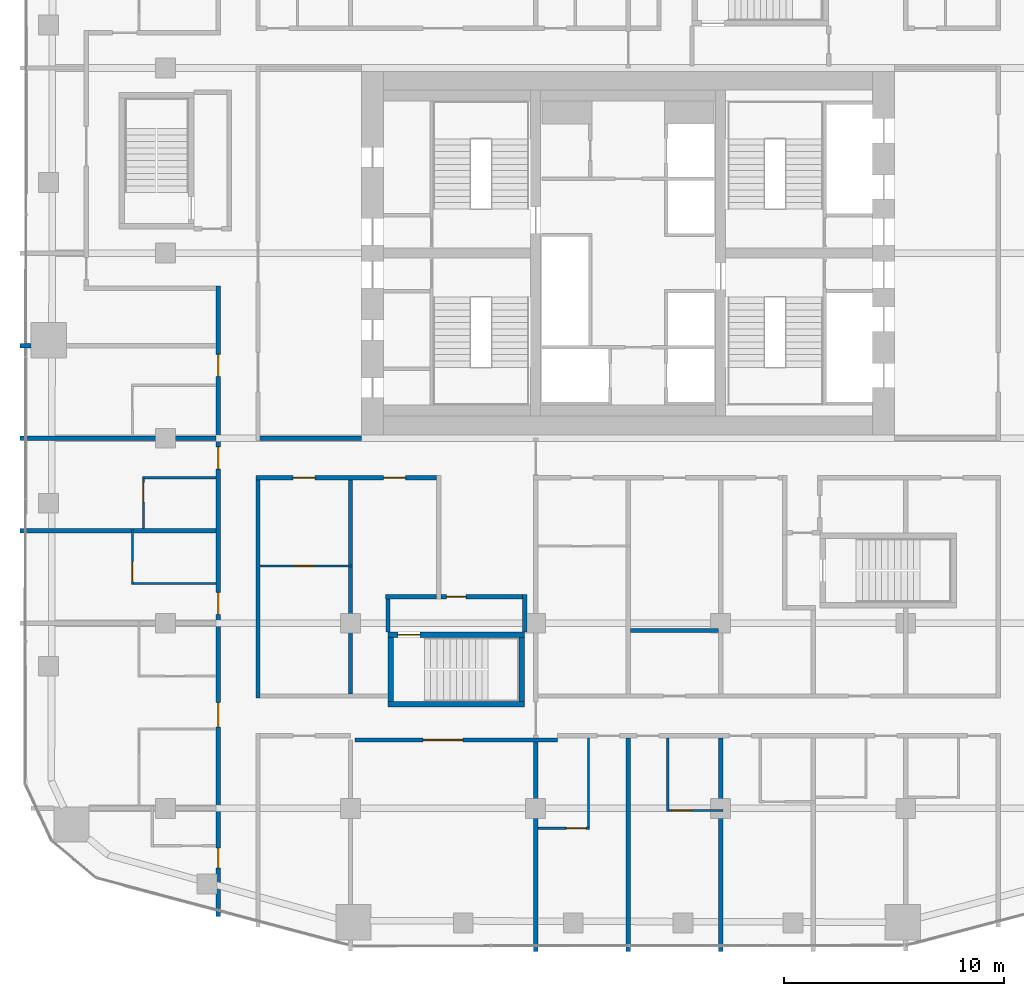
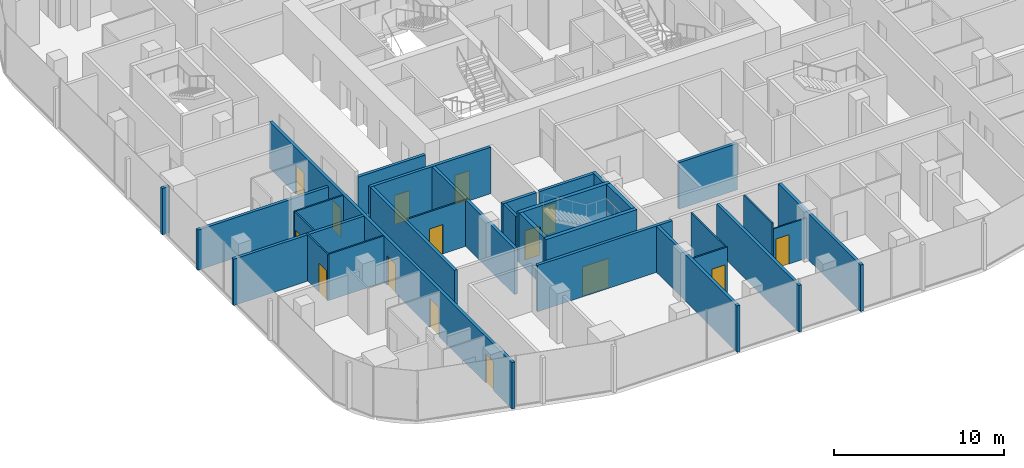
# One storey, part 14 of 23: 30 walls, 15 doors, 15 openings.
"""IFC4 building model written with IfcOpenShell, lengths in metres."""

from ifc_helpers import new_model, si_unit, direction, frame, frame_2d, origin, place, context, subcontext, project, spatial, rectangle, extrude, material, layer, layer_set, type_object, element, fill, save


model = new_model("IFC4")

# Units and contexts
model_context = context("Model", 3, precision=1e-05, world=origin(), true_north=direction((0.0, 1.0)))
body_context = subcontext(model_context, "Body", "Model", "MODEL_VIEW")
ifc_project = project(units=[si_unit("LENGTHUNIT", "METRE"), si_unit("AREAUNIT", "SQUARE_METRE"), si_unit("VOLUMEUNIT", "CUBIC_METRE"), si_unit("PLANEANGLEUNIT", "RADIAN"), si_unit("MASSUNIT", "GRAM", prefix="KILO")], contexts=[model_context])

# Site, building, storey
site_placement = place(None, origin())
site = spatial("IfcSite", under=ifc_project, at=site_placement, CompositionType="ELEMENT")
building_placement = place(site_placement, origin())
building = spatial("IfcBuilding", under=site, at=building_placement, Name="Marenta Gate Hotel Tower", CompositionType="ELEMENT")
storey_placement = place(building_placement, frame((0.0, 0.0, 140.89990234375)))
storey = spatial("IfcBuildingStorey", under=building, at=storey_placement, Name="L32", CompositionType="ELEMENT", Elevation=140.89990234375)

# Walls
ifc_material_1 = material(Name="Concrete blockwork", Category="masonry")
ifc_layer_1 = layer(ifc_material_1, 0.199951171875)
ifc_layer_set_1 = layer_set([ifc_layer_1], Name="Concrete blockwork")
wall_type_1 = type_object("IfcWallType", Name="Compartment wall 200 REI 180", PredefinedType="PARTITIONING", material=ifc_layer_set_1)
wall_1_placement = place(storey_placement, frame((-4.199951171875, -23.300048828125, 0.0), z_axis=(0.0, 0.0, 1.0), x_axis=(0.0, 1.0, 0.0)))
element("IfcWall", 1, at=wall_1_placement, inside=storey, type_object=wall_type_1, Name="L32-PTN-W082", PredefinedType="PARTITIONING", context=body_context, shape_type="SweptSolid", body=[
    extrude(rectangle(XDim=9.5, YDim=0.199951171875, at=frame_2d((4.75, 0.0))), origin(), (0.0, 0.0, 1.0), 3.340087890625),
])
ifc_material_2 = material(Name="Concrete blockwork", Category="masonry")
ifc_layer_2 = layer(ifc_material_2, 0.199951171875)
ifc_layer_set_2 = layer_set([ifc_layer_2], Name="Concrete blockwork")
wall_type_2 = type_object("IfcWallType", Name="Core boundary wall 200 REI 180", PredefinedType="PARTITIONING", material=ifc_layer_set_2)
wall_2_placement = place(storey_placement, frame((-16.699951171875, 0.0, 0.0), z_axis=(0.0, 0.0, 1.0), x_axis=(1.0, 0.0, 0.0)))
element("IfcWall", 2, at=wall_2_placement, inside=storey, type_object=wall_type_2, Name="L32-CP-EW-WS", PredefinedType="PARTITIONING", context=body_context, shape_type="SweptSolid", body=[
    extrude(rectangle(XDim=4.599853515625, YDim=0.199951171875, at=frame_2d((2.2998046875, 0.0))), origin(), (0.0, 0.0, 1.0), 2.89013671875),
])
ifc_material_3 = material(Name="Concrete C40", Category="concrete")
ifc_layer_3 = layer(ifc_material_3, 0.25)
ifc_layer_set_3 = layer_set([ifc_layer_3], Name="Concrete C40")
wall_type_3 = type_object("IfcWallType", Name="Remote stair enclosure wall 250 REI 180", PredefinedType="SHEAR", material=ifc_layer_set_3)
wall_3_placement = place(storey_placement, frame((-10.89990234375, -12.074951171875, 0.10009765625), z_axis=(0.0, 0.0, 1.0), x_axis=(1.0, 0.0, 0.0)))
element("IfcWall", 3, at=wall_3_placement, inside=storey, type_object=wall_type_3, Name="L32-RS-Z2-1-W1", PredefinedType="SHEAR", context=body_context, shape_type="SweptSolid", body=[
    extrude(rectangle(XDim=6.199951171875, YDim=0.25, at=frame_2d((3.10009765625, 0.0))), origin(), (0.0, 0.0, 1.0), 3.60009765625),
])

# Wall, opening, door
wall_4_placement = place(storey_placement, frame((-10.89990234375, -8.925048828125, 0.10009765625), z_axis=(0.0, 0.0, 1.0), x_axis=(1.0, 0.0, 0.0)))
wall_4 = element("IfcWall", 4, at=wall_4_placement, inside=storey, type_object=wall_type_3, Name="L32-RS-Z2-1-W2", PredefinedType="SHEAR", context=body_context, shape_type="SweptSolid", body=[
    extrude(rectangle(XDim=6.199951171875, YDim=0.25, at=frame_2d((3.10009765625, 0.0))), origin(), (0.0, 0.0, 1.0), 3.60009765625),
])
opening_1_placement = place(wall_4_placement, frame((0.449951171875, 0.0, 0.0)))
opening_1 = element("IfcOpeningElement", 5, at=opening_1_placement, cuts=wall_4, Name="Opening VD", PredefinedType="OPENING", context=body_context, shape_type="SweptSolid", body=[
    extrude(rectangle(XDim=1.0, YDim=2.10009765625, at=frame_2d((0.5, 1.050048828125))), frame((0.0, 0.125, 0.0), z_axis=(0.0, -1.0, 0.0), x_axis=(1.0, 0.0, 0.0)), (0.0, 0.0, 1.0), 0.25),
])
ifc_material_4 = material(Name="Steel", Category="steel")
door_type_1 = type_object("IfcDoorType", Name="Stair vestibule door 1000x2100 FD60", OperationType="SINGLE_SWING_LEFT", PredefinedType="DOOR", material=ifc_material_4)
door_1_placement = place(opening_1_placement, origin())
door_1 = element("IfcDoor", 6, at=door_1_placement, inside=storey, type_object=door_type_1, Name="VD", OperationType="SINGLE_SWING_LEFT", OverallHeight=2.10009765625, OverallWidth=1.0, PredefinedType="DOOR", context=body_context, shape_type="SweptSolid", body=[
    extrude(rectangle(XDim=1.0, YDim=2.10009765625, at=frame_2d((0.5, 1.050048828125))), frame((0.0, 0.02490234375, 0.0), z_axis=(0.0, -1.0, 0.0), x_axis=(1.0, 0.0, 0.0)), (0.0, 0.0, 1.0), 0.050048828125),
])
fill(opening_1, door_1)

# Walls
for number, where, z_axis, x_axis, name in (
    (7, (-10.77490234375, -11.949951171875, 0.10009765625), (0.0, 0.0, 1.0), (0.0, 1.0, 0.0), "L32-RS-Z2-1-W3"),
    (8, (-4.824951171875, -11.949951171875, 0.10009765625), (0.0, 0.0, 1.0), (0.0, 1.0, 0.0), "L32-RS-Z2-1-W4"),
):
    element("IfcWall", number, at=place(storey_placement, frame(where, z_axis=z_axis, x_axis=x_axis)), inside=storey, type_object=wall_type_3, Name=name, PredefinedType="SHEAR", context=body_context, shape_type="SweptSolid", body=[
        extrude(rectangle(XDim=2.89990234375, YDim=0.25, at=frame_2d((1.449951171875, 0.0))), origin(), (0.0, 0.0, 1.0), 3.60009765625),
    ])

# Wall, opening, door
ifc_material_5 = material(Name="Gypsum board on steel stud", Category="steel")
ifc_layer_4 = layer(ifc_material_5, 0.199951171875)
ifc_layer_set_4 = layer_set([ifc_layer_4], Name="Gypsum board on steel stud")
wall_type_4 = type_object("IfcWallType", Name="Room corridor wall 200 EI 60", PredefinedType="PARTITIONING", material=ifc_layer_set_4)
wall_5_placement = place(storey_placement, frame((-12.39990234375, -13.699951171875, 0.0), z_axis=(0.0, 0.0, 1.0), x_axis=(1.0, 0.0, 0.0)))
wall_5 = element("IfcWall", 9, at=wall_5_placement, inside=storey, type_object=wall_type_4, Name="L32-PTN-W028", PredefinedType="PARTITIONING", context=body_context, shape_type="SweptSolid", body=[
    extrude(rectangle(XDim=9.199951171875, YDim=0.199951171875, at=frame_2d((4.60009765625, 0.0))), origin(), (0.0, 0.0, 1.0), 3.340087890625),
])
opening_2_placement = place(wall_5_placement, frame((3.10009765625, 0.0, 0.0)))
opening_2 = element("IfcOpeningElement", 10, at=opening_2_placement, cuts=wall_5, Name="Opening G12-39", PredefinedType="OPENING", context=body_context, shape_type="SweptSolid", body=[
    extrude(rectangle(XDim=1.800048828125, YDim=2.10009765625, at=frame_2d((0.89990234375, 1.050048828125))), frame((0.0, 0.10009765625, 0.0), z_axis=(0.0, -1.0, 0.0), x_axis=(1.0, 0.0, 0.0)), (0.0, 0.0, 1.0), 0.199951171875),
])
ifc_material_6 = material(Name="Timber door leaf", Category="wood")
door_type_2 = type_object("IfcDoorType", Name="Room amenity door 1800x2100 EI 30", OperationType="DOUBLE_DOOR_SINGLE_SWING", PredefinedType="DOOR", material=ifc_material_6)
door_2_placement = place(opening_2_placement, origin())
door_2 = element("IfcDoor", 11, at=door_2_placement, inside=storey, type_object=door_type_2, Name="L32-PD-D039", OperationType="DOUBLE_DOOR_SINGLE_SWING", OverallHeight=2.10009765625, OverallWidth=1.800048828125, PredefinedType="DOOR", context=body_context, shape_type="SweptSolid", body=[
    extrude(rectangle(XDim=1.800048828125, YDim=2.10009765625, at=frame_2d((0.89990234375, 1.050048828125))), frame((0.0, 0.02490234375, 0.0), z_axis=(0.0, -1.0, 0.0), x_axis=(1.0, 0.0, 0.0)), (0.0, 0.0, 1.0), 0.050048828125),
])
fill(opening_2, door_2)

# Wall, openings, doors
wall_6_placement = place(storey_placement, frame((-16.89990234375, -1.800048828125, 0.0), z_axis=(0.0, 0.0, 1.0), x_axis=(1.0, 0.0, 0.0)))
wall_6 = element("IfcWall", 12, at=wall_6_placement, inside=storey, type_object=wall_type_4, Name="L32-PTN-W069", PredefinedType="PARTITIONING", context=body_context, shape_type="SweptSolid", body=[
    extrude(rectangle(XDim=8.199951171875, YDim=0.199951171875, at=frame_2d((4.10009765625, 0.0))), origin(), (0.0, 0.0, 1.0), 3.340087890625),
])
opening_3_placement = place(wall_6_placement, frame((1.699951171875, 0.0, 0.0)))
opening_3 = element("IfcOpeningElement", 13, at=opening_3_placement, cuts=wall_6, Name="Opening G12-01", PredefinedType="OPENING", context=body_context, shape_type="SweptSolid", body=[
    extrude(rectangle(XDim=1.0, YDim=2.10009765625, at=frame_2d((0.5, 1.050048828125))), frame((0.0, 0.10009765625, 0.0), z_axis=(0.0, -1.0, 0.0), x_axis=(1.0, 0.0, 0.0)), (0.0, 0.0, 1.0), 0.199951171875),
])
opening_4_placement = place(wall_6_placement, frame((5.800048828125, 0.0, 0.0)))
opening_4 = element("IfcOpeningElement", 14, at=opening_4_placement, cuts=wall_6, Name="Opening G12-03", PredefinedType="OPENING", context=body_context, shape_type="SweptSolid", body=[
    extrude(rectangle(XDim=1.0, YDim=2.10009765625, at=frame_2d((0.5, 1.050048828125))), frame((0.0, 0.10009765625, 0.0), z_axis=(0.0, -1.0, 0.0), x_axis=(1.0, 0.0, 0.0)), (0.0, 0.0, 1.0), 0.199951171875),
])
ifc_material_7 = material(Name="Timber door leaf", Category="wood")
door_type_3 = type_object("IfcDoorType", Name="Room amenity door 1000x2100 EI 30", OperationType="NOTDEFINED", PredefinedType="DOOR", material=ifc_material_7)
door_3_placement = place(opening_4_placement, origin())
door_3 = element("IfcDoor", 15, at=door_3_placement, inside=storey, type_object=door_type_3, Name="L32-PD-D003", OperationType="SINGLE_SWING_LEFT", OverallHeight=2.10009765625, OverallWidth=1.0, PredefinedType="DOOR", context=body_context, shape_type="SweptSolid", body=[
    extrude(rectangle(XDim=1.0, YDim=2.10009765625, at=frame_2d((0.5, 1.050048828125))), frame((0.0, 0.02490234375, 0.0), z_axis=(0.0, -1.0, 0.0), x_axis=(1.0, 0.0, 0.0)), (0.0, 0.0, 1.0), 0.050048828125),
])
fill(opening_4, door_3)
ifc_material_8 = material(Name="Hollow steel door set", Category="steel")
door_type_4 = type_object("IfcDoorType", Name="Room service door 1000x2100 EI 30", OperationType="NOTDEFINED", PredefinedType="DOOR", material=ifc_material_8)
door_4_placement = place(opening_3_placement, origin())
door_4 = element("IfcDoor", 16, at=door_4_placement, inside=storey, type_object=door_type_4, Name="L32-PD-D001", OperationType="SINGLE_SWING_LEFT", OverallHeight=2.10009765625, OverallWidth=1.0, PredefinedType="DOOR", context=body_context, shape_type="SweptSolid", body=[
    extrude(rectangle(XDim=1.0, YDim=2.10009765625, at=frame_2d((0.5, 1.050048828125))), frame((0.0, 0.02490234375, 0.0), z_axis=(0.0, -1.0, 0.0), x_axis=(1.0, 0.0, 0.0)), (0.0, 0.0, 1.0), 0.050048828125),
])
fill(opening_3, door_4)

# Wall
wall_7_placement = place(storey_placement, frame((-16.800048828125, -11.800048828125, 0.0), z_axis=(0.0, 0.0, 1.0), x_axis=(0.0, 1.0, 0.0)))
element("IfcWall", 17, at=wall_7_placement, inside=storey, type_object=wall_type_4, Name="L32-PTN-W104", PredefinedType="PARTITIONING", context=body_context, shape_type="SweptSolid", body=[
    extrude(rectangle(XDim=9.900146484375, YDim=0.199951171875, at=frame_2d((4.9501953125, 0.0))), origin(), (0.0, 0.0, 1.0), 3.340087890625),
])

# Wall, openings, doors
wall_8_placement = place(storey_placement, frame((-18.60009765625, -21.7080078125, 0.0), z_axis=(0.0, 0.0, 1.0), x_axis=(0.0, 1.0, 0.0)))
wall_8 = element("IfcWall", 18, at=wall_8_placement, inside=storey, type_object=wall_type_4, Name="L32-PTN-W110", PredefinedType="PARTITIONING", context=body_context, shape_type="SweptSolid", body=[
    extrude(rectangle(XDim=28.60791015625, YDim=0.199951171875, at=frame_2d((14.303955078125, 0.0))), origin(), (0.0, 0.0, 1.0), 3.340087890625),
])
opening_5_placement = place(wall_8_placement, frame((2.2041015625, 0.0, 0.0)))
opening_5 = element("IfcOpeningElement", 19, at=opening_5_placement, cuts=wall_8, Name="Opening G12-50", PredefinedType="OPENING", context=body_context, shape_type="SweptSolid", body=[
    extrude(rectangle(XDim=0.89990234375, YDim=2.10009765625, at=frame_2d((0.449951171875, 1.050048828125))), frame((0.0, 0.10009765625, 0.0), z_axis=(0.0, -1.0, 0.0), x_axis=(1.0, 0.0, 0.0)), (0.0, 0.0, 1.0), 0.199951171875),
])
opening_6_placement = place(wall_8_placement, frame((8.60791015625, 0.0, 0.0)))
opening_6 = element("IfcOpeningElement", 20, at=opening_6_placement, cuts=wall_8, Name="Opening G12-52", PredefinedType="OPENING", context=body_context, shape_type="SweptSolid", body=[
    extrude(rectangle(XDim=1.10009765625, YDim=2.10009765625, at=frame_2d((0.550048828125, 1.050048828125))), frame((0.0, 0.10009765625, 0.0), z_axis=(0.0, -1.0, 0.0), x_axis=(1.0, 0.0, 0.0)), (0.0, 0.0, 1.0), 0.199951171875),
])
opening_7_placement = place(wall_8_placement, frame((13.7080078125, 0.0, 0.0)))
opening_7 = element("IfcOpeningElement", 21, at=opening_7_placement, cuts=wall_8, Name="Opening G12-55", PredefinedType="OPENING", context=body_context, shape_type="SweptSolid", body=[
    extrude(rectangle(XDim=1.0, YDim=2.10009765625, at=frame_2d((0.5, 1.050048828125))), frame((0.0, 0.10009765625, 0.0), z_axis=(0.0, -1.0, 0.0), x_axis=(1.0, 0.0, 0.0)), (0.0, 0.0, 1.0), 0.199951171875),
])
opening_8_placement = place(wall_8_placement, frame((20.30810546875, 0.0, 0.0)))
opening_8 = element("IfcOpeningElement", 22, at=opening_8_placement, cuts=wall_8, Name="Opening G12-57", PredefinedType="OPENING", context=body_context, shape_type="SweptSolid", body=[
    extrude(rectangle(XDim=1.0, YDim=2.10009765625, at=frame_2d((0.5, 1.050048828125))), frame((0.0, 0.10009765625, 0.0), z_axis=(0.0, -1.0, 0.0), x_axis=(1.0, 0.0, 0.0)), (0.0, 0.0, 1.0), 0.199951171875),
])
opening_9_placement = place(wall_8_placement, frame((24.508056640625, 0.0, 0.0)))
opening_9 = element("IfcOpeningElement", 23, at=opening_9_placement, cuts=wall_8, Name="Opening G12-59", PredefinedType="OPENING", context=body_context, shape_type="SweptSolid", body=[
    extrude(rectangle(XDim=1.0, YDim=2.10009765625, at=frame_2d((0.5, 1.050048828125))), frame((0.0, 0.10009765625, 0.0), z_axis=(0.0, -1.0, 0.0), x_axis=(1.0, 0.0, 0.0)), (0.0, 0.0, 1.0), 0.199951171875),
])
ifc_material_9 = material(Name="Timber door leaf", Category="wood")
door_type_5 = type_object("IfcDoorType", Name="Guest room door 1000x2100 EI 30", OperationType="NOTDEFINED", PredefinedType="DOOR", material=ifc_material_9)
door_5_placement = place(opening_7_placement, origin())
door_5 = element("IfcDoor", 24, at=door_5_placement, inside=storey, type_object=door_type_5, Name="L32-PD-D055", OperationType="SINGLE_SWING_RIGHT", OverallHeight=2.10009765625, OverallWidth=1.0, PredefinedType="DOOR", context=body_context, shape_type="SweptSolid", body=[
    extrude(rectangle(XDim=1.0, YDim=2.10009765625, at=frame_2d((0.5, 1.050048828125))), frame((0.0, 0.02490234375, 0.0), z_axis=(0.0, -1.0, 0.0), x_axis=(1.0, 0.0, 0.0)), (0.0, 0.0, 1.0), 0.050048828125),
])
fill(opening_7, door_5)
door_6_placement = place(opening_8_placement, origin())
door_6 = element("IfcDoor", 25, at=door_6_placement, inside=storey, type_object=door_type_5, Name="L32-PD-D057", OperationType="SINGLE_SWING_RIGHT", OverallHeight=2.10009765625, OverallWidth=1.0, PredefinedType="DOOR", context=body_context, shape_type="SweptSolid", body=[
    extrude(rectangle(XDim=1.0, YDim=2.10009765625, at=frame_2d((0.5, 1.050048828125))), frame((0.0, 0.02490234375, 0.0), z_axis=(0.0, -1.0, 0.0), x_axis=(1.0, 0.0, 0.0)), (0.0, 0.0, 1.0), 0.050048828125),
])
fill(opening_8, door_6)
door_7_placement = place(opening_9_placement, origin())
door_7 = element("IfcDoor", 26, at=door_7_placement, inside=storey, type_object=door_type_5, Name="L32-PD-D059", OperationType="SINGLE_SWING_RIGHT", OverallHeight=2.10009765625, OverallWidth=1.0, PredefinedType="DOOR", context=body_context, shape_type="SweptSolid", body=[
    extrude(rectangle(XDim=1.0, YDim=2.10009765625, at=frame_2d((0.5, 1.050048828125))), frame((0.0, 0.02490234375, 0.0), z_axis=(0.0, -1.0, 0.0), x_axis=(1.0, 0.0, 0.0)), (0.0, 0.0, 1.0), 0.050048828125),
])
fill(opening_9, door_7)
ifc_material_10 = material(Name="Timber door leaf", Category="wood")
door_type_6 = type_object("IfcDoorType", Name="Guest room door 1100x2100 EI 30", OperationType="NOTDEFINED", PredefinedType="DOOR", material=ifc_material_10)
door_8_placement = place(opening_6_placement, origin())
door_8 = element("IfcDoor", 27, at=door_8_placement, inside=storey, type_object=door_type_6, Name="L32-PD-D052", OperationType="SINGLE_SWING_LEFT", OverallHeight=2.10009765625, OverallWidth=1.10009765625, PredefinedType="DOOR", context=body_context, shape_type="SweptSolid", body=[
    extrude(rectangle(XDim=1.10009765625, YDim=2.10009765625, at=frame_2d((0.550048828125, 1.050048828125))), frame((0.0, 0.02490234375, 0.0), z_axis=(0.0, -1.0, 0.0), x_axis=(1.0, 0.0, 0.0)), (0.0, 0.0, 1.0), 0.050048828125),
])
fill(opening_6, door_8)
ifc_material_11 = material(Name="Timber door leaf", Category="wood")
door_type_7 = type_object("IfcDoorType", Name="Guest room door 900x2100 EI 30", OperationType="NOTDEFINED", PredefinedType="DOOR", material=ifc_material_11)
door_9_placement = place(opening_5_placement, origin())
door_9 = element("IfcDoor", 28, at=door_9_placement, inside=storey, type_object=door_type_7, Name="L32-PD-D050", OperationType="SINGLE_SWING_RIGHT", OverallHeight=2.10009765625, OverallWidth=0.89990234375, PredefinedType="DOOR", context=body_context, shape_type="SweptSolid", body=[
    extrude(rectangle(XDim=0.89990234375, YDim=2.10009765625, at=frame_2d((0.449951171875, 1.050048828125))), frame((0.0, 0.02490234375, 0.0), z_axis=(0.0, -1.0, 0.0), x_axis=(1.0, 0.0, 0.0)), (0.0, 0.0, 1.0), 0.050048828125),
])
fill(opening_5, door_9)

# Wall, opening, door
ifc_material_12 = material(Name="Concrete blockwork", Category="masonry")
ifc_layer_5 = layer(ifc_material_12, 0.199951171875)
ifc_layer_set_5 = layer_set([ifc_layer_5], Name="Concrete blockwork")
wall_type_5 = type_object("IfcWallType", Name="Room corridor wall 200 REI 180", PredefinedType="PARTITIONING", material=ifc_layer_set_5)
wall_9_placement = place(storey_placement, frame((-8.5, -7.199951171875, 0.0), z_axis=(0.0, 0.0, 1.0), x_axis=(1.0, 0.0, 0.0)))
wall_9 = element("IfcWall", 29, at=wall_9_placement, inside=storey, type_object=wall_type_5, Name="L32-PTN-W051", PredefinedType="PARTITIONING", context=body_context, shape_type="SweptSolid", body=[
    extrude(rectangle(XDim=3.699951171875, YDim=0.199951171875, at=frame_2d((1.85009765625, 0.0))), origin(), (0.0, 0.0, 1.0), 3.340087890625),
])
opening_10_placement = place(wall_9_placement, frame((0.25, 0.0, 0.0)))
opening_10 = element("IfcOpeningElement", 30, at=opening_10_placement, cuts=wall_9, Name="Opening G12-66", PredefinedType="OPENING", context=body_context, shape_type="SweptSolid", body=[
    extrude(rectangle(XDim=0.89990234375, YDim=2.10009765625, at=frame_2d((0.449951171875, 1.050048828125))), frame((0.0, 0.10009765625, 0.0), z_axis=(0.0, -1.0, 0.0), x_axis=(1.0, 0.0, 0.0)), (0.0, 0.0, 1.0), 0.199951171875),
])
ifc_material_13 = material(Name="Hollow steel door set", Category="steel")
door_type_8 = type_object("IfcDoorType", Name="Stair vestibule door 900x2100 EI 60", OperationType="NOTDEFINED", PredefinedType="DOOR", material=ifc_material_13)
door_10_placement = place(opening_10_placement, origin())
door_10 = element("IfcDoor", 31, at=door_10_placement, inside=storey, type_object=door_type_8, Name="L32-PD-D066", OperationType="SINGLE_SWING_RIGHT", OverallHeight=2.10009765625, OverallWidth=0.89990234375, PredefinedType="DOOR", context=body_context, shape_type="SweptSolid", body=[
    extrude(rectangle(XDim=0.89990234375, YDim=2.10009765625, at=frame_2d((0.449951171875, 1.050048828125))), frame((0.0, 0.02490234375, 0.0), z_axis=(0.0, -1.0, 0.0), x_axis=(1.0, 0.0, 0.0)), (0.0, 0.0, 1.0), 0.050048828125),
])
fill(opening_10, door_10)

# Wall
wall_10_placement = place(storey_placement, frame((-4.699951171875, -8.800048828125, 0.0), z_axis=(0.0, 0.0, 1.0), x_axis=(0.0, 1.0, 0.0)))
element("IfcWall", 32, at=wall_10_placement, inside=storey, type_object=wall_type_5, Name="L32-PTN-W087", PredefinedType="PARTITIONING", context=body_context, shape_type="SweptSolid", body=[
    extrude(rectangle(XDim=1.699951171875, YDim=0.199951171875, at=frame_2d((0.85009765625, 0.0))), origin(), (0.0, 0.0, 1.0), 3.340087890625),
])

# Wall, opening, door
ifc_material_14 = material(Name="Gypsum board on steel stud", Category="steel")
ifc_layer_6 = layer(ifc_material_14, 0.10009765625)
ifc_layer_set_6 = layer_set([ifc_layer_6], Name="Gypsum board on steel stud")
wall_type_6 = type_object("IfcWallType", Name="Room partition 100", PredefinedType="PARTITIONING", material=ifc_layer_set_6)
wall_11_placement = place(storey_placement, frame((-4.10009765625, -17.699951171875, 0.0), z_axis=(0.0, 0.0, 1.0), x_axis=(1.0, 0.0, 0.0)))
wall_11 = element("IfcWall", 33, at=wall_11_placement, inside=storey, type_object=wall_type_6, Name="L32-PTN-W015", PredefinedType="PARTITIONING", context=body_context, shape_type="SweptSolid", body=[
    extrude(rectangle(XDim=2.35009765625, YDim=0.10009765625, at=frame_2d((1.175048828125, 0.0))), origin(), (0.0, 0.0, 1.0), 3.340087890625),
])
opening_11_placement = place(wall_11_placement, frame((1.300048828125, 0.0, 0.0)))
opening_11 = element("IfcOpeningElement", 34, at=opening_11_placement, cuts=wall_11, Name="Opening G12-41", PredefinedType="OPENING", context=body_context, shape_type="SweptSolid", body=[
    extrude(rectangle(XDim=0.89990234375, YDim=2.10009765625, at=frame_2d((0.449951171875, 1.050048828125))), frame((0.0, 0.050048828125, 0.0), z_axis=(0.0, -1.0, 0.0), x_axis=(1.0, 0.0, 0.0)), (0.0, 0.0, 1.0), 0.10009765625),
])
ifc_material_15 = material(Name="Timber door leaf", Category="wood")
door_type_9 = type_object("IfcDoorType", Name="Guest bathroom door 900x2100", OperationType="NOTDEFINED", PredefinedType="DOOR", material=ifc_material_15)
door_11_placement = place(opening_11_placement, origin())
door_11 = element("IfcDoor", 35, at=door_11_placement, inside=storey, type_object=door_type_9, Name="L32-PD-D041", OperationType="SINGLE_SWING_RIGHT", OverallHeight=2.10009765625, OverallWidth=0.89990234375, PredefinedType="DOOR", context=body_context, shape_type="SweptSolid", body=[
    extrude(rectangle(XDim=0.89990234375, YDim=2.10009765625, at=frame_2d((0.449951171875, 1.050048828125))), frame((0.0, 0.02490234375, 0.0), z_axis=(0.0, -1.0, 0.0), x_axis=(1.0, 0.0, 0.0)), (0.0, 0.0, 1.0), 0.050048828125),
])
fill(opening_11, door_11)

wall_12_placement = place(storey_placement, frame((1.85009765625, -16.89990234375, 0.0), z_axis=(0.0, 0.0, 1.0), x_axis=(1.0, 0.0, 0.0)))
wall_12 = element("IfcWall", 36, at=wall_12_placement, inside=storey, type_object=wall_type_6, Name="L32-PTN-W016", PredefinedType="PARTITIONING", context=body_context, shape_type="SweptSolid", body=[
    extrude(rectangle(XDim=2.449951171875, YDim=0.10009765625, at=frame_2d((1.22509765625, 0.0))), origin(), (0.0, 0.0, 1.0), 2.89013671875),
])
opening_12_placement = place(wall_12_placement, frame((0.14990234375, 0.0, 0.0)))
opening_12 = element("IfcOpeningElement", 37, at=opening_12_placement, cuts=wall_12, Name="Opening G12-43", PredefinedType="OPENING", context=body_context, shape_type="SweptSolid", body=[
    extrude(rectangle(XDim=0.89990234375, YDim=2.10009765625, at=frame_2d((0.449951171875, 1.050048828125))), frame((0.0, 0.050048828125, 0.0), z_axis=(0.0, -1.0, 0.0), x_axis=(1.0, 0.0, 0.0)), (0.0, 0.0, 1.0), 0.10009765625),
])
door_12_placement = place(opening_12_placement, origin())
door_12 = element("IfcDoor", 38, at=door_12_placement, inside=storey, type_object=door_type_9, Name="L32-PD-D043", OperationType="SINGLE_SWING_LEFT", OverallHeight=2.10009765625, OverallWidth=0.89990234375, PredefinedType="DOOR", context=body_context, shape_type="SweptSolid", body=[
    extrude(rectangle(XDim=0.89990234375, YDim=2.10009765625, at=frame_2d((0.449951171875, 1.050048828125))), frame((0.0, 0.02490234375, 0.0), z_axis=(0.0, -1.0, 0.0), x_axis=(1.0, 0.0, 0.0)), (0.0, 0.0, 1.0), 0.050048828125),
])
fill(opening_12, door_12)

# Wall
wall_13_placement = place(storey_placement, frame((-22.449951171875, -6.60009765625, 0.0), z_axis=(0.0, 0.0, 1.0), x_axis=(1.0, 0.0, 0.0)))
element("IfcWall", 39, at=wall_13_placement, inside=storey, type_object=wall_type_6, Name="L32-PTN-W054", PredefinedType="PARTITIONING", context=body_context, shape_type="SweptSolid", body=[
    extrude(rectangle(XDim=3.75, YDim=0.10009765625, at=frame_2d((1.875, 0.0))), origin(), (0.0, 0.0, 1.0), 3.340087890625),
])

# Wall, opening, door
wall_14_placement = place(storey_placement, frame((-16.699951171875, -5.800048828125, 0.0), z_axis=(0.0, 0.0, 1.0), x_axis=(1.0, 0.0, 0.0)))
wall_14 = element("IfcWall", 40, at=wall_14_placement, inside=storey, type_object=wall_type_6, Name="L32-PTN-W057", PredefinedType="PARTITIONING", context=body_context, shape_type="SweptSolid", body=[
    extrude(rectangle(XDim=4.199951171875, YDim=0.10009765625, at=frame_2d((2.10009765625, 0.0))), origin(), (0.0, 0.0, 1.0), 3.340087890625),
])
opening_13_placement = place(wall_14_placement, frame((1.550048828125, 0.0, 0.0)))
opening_13 = element("IfcOpeningElement", 41, at=opening_13_placement, cuts=wall_14, Name="Opening G12-02", PredefinedType="OPENING", context=body_context, shape_type="SweptSolid", body=[
    extrude(rectangle(XDim=0.89990234375, YDim=2.10009765625, at=frame_2d((0.449951171875, 1.050048828125))), frame((0.0, 0.050048828125, 0.0), z_axis=(0.0, -1.0, 0.0), x_axis=(1.0, 0.0, 0.0)), (0.0, 0.0, 1.0), 0.10009765625),
])
ifc_material_16 = material(Name="Timber door leaf", Category="wood")
door_type_10 = type_object("IfcDoorType", Name="Room inner door 900x2100", OperationType="NOTDEFINED", PredefinedType="DOOR", material=ifc_material_16)
door_13_placement = place(opening_13_placement, origin())
door_13 = element("IfcDoor", 42, at=door_13_placement, inside=storey, type_object=door_type_10, Name="L32-PD-D002", OperationType="SINGLE_SWING_RIGHT", OverallHeight=2.10009765625, OverallWidth=0.89990234375, PredefinedType="DOOR", context=body_context, shape_type="SweptSolid", body=[
    extrude(rectangle(XDim=0.89990234375, YDim=2.10009765625, at=frame_2d((0.449951171875, 1.050048828125))), frame((0.0, 0.02490234375, 0.0), z_axis=(0.0, -1.0, 0.0), x_axis=(1.0, 0.0, 0.0)), (0.0, 0.0, 1.0), 0.050048828125),
])
fill(opening_13, door_13)

# Walls
wall_15_placement = place(storey_placement, frame((1.800048828125, -16.949951171875, 0.0), z_axis=(0.0, 0.0, 1.0), x_axis=(0.0, 1.0, 0.0)))
element("IfcWall", 43, at=wall_15_placement, inside=storey, type_object=wall_type_6, Name="L32-PTN-W066", PredefinedType="PARTITIONING", context=body_context, shape_type="SweptSolid", body=[
    extrude(rectangle(XDim=3.349853515625, YDim=0.10009765625, at=frame_2d((1.6748046875, 0.0))), origin(), (0.0, 0.0, 1.0), 3.340087890625),
])
wall_16_placement = place(storey_placement, frame((-22.050048828125, -1.800048828125, 0.0), z_axis=(0.0, 0.0, 1.0), x_axis=(1.0, 0.0, 0.0)))
element("IfcWall", 44, at=wall_16_placement, inside=storey, type_object=wall_type_6, Name="L32-PTN-W067", PredefinedType="PARTITIONING", context=body_context, shape_type="SweptSolid", body=[
    extrude(rectangle(XDim=3.35009765625, YDim=0.10009765625, at=frame_2d((1.675048828125, 0.0))), origin(), (0.0, 0.0, 1.0), 3.340087890625),
])
wall_17_placement = place(storey_placement, frame((-1.800048828125, -17.64990234375, 0.0), z_axis=(0.0, 0.0, 1.0), x_axis=(0.0, 1.0, 0.0)))
element("IfcWall", 45, at=wall_17_placement, inside=storey, type_object=wall_type_6, Name="L32-PTN-W078", PredefinedType="PARTITIONING", context=body_context, shape_type="SweptSolid", body=[
    extrude(rectangle(XDim=4.0498046875, YDim=0.10009765625, at=frame_2d((2.02490234375, 0.0))), origin(), (0.0, 0.0, 1.0), 3.340087890625),
])

# Wall, opening, door
wall_18_placement = place(storey_placement, frame((-22.0, -4.10009765625, 0.0), z_axis=(0.0, 0.0, 1.0), x_axis=(0.0, 1.0, 0.0)))
wall_18 = element("IfcWall", 46, at=wall_18_placement, inside=storey, type_object=wall_type_6, Name="L32-PTN-W117", PredefinedType="PARTITIONING", context=body_context, shape_type="SweptSolid", body=[
    extrude(rectangle(XDim=2.25, YDim=0.10009765625, at=frame_2d((1.125, 0.0))), origin(), (0.0, 0.0, 1.0), 3.340087890625),
])
opening_14_placement = place(wall_18_placement, frame((1.199951171875, 0.0, 0.0)))
opening_14 = element("IfcOpeningElement", 47, at=opening_14_placement, cuts=wall_18, Name="Opening G12-58", PredefinedType="OPENING", context=body_context, shape_type="SweptSolid", body=[
    extrude(rectangle(XDim=0.89990234375, YDim=2.10009765625, at=frame_2d((0.449951171875, 1.050048828125))), frame((0.0, 0.050048828125, 0.0), z_axis=(0.0, -1.0, 0.0), x_axis=(1.0, 0.0, 0.0)), (0.0, 0.0, 1.0), 0.10009765625),
])
door_14_placement = place(opening_14_placement, origin())
door_14 = element("IfcDoor", 48, at=door_14_placement, inside=storey, type_object=door_type_9, Name="L32-PD-D058", OperationType="SINGLE_SWING_LEFT", OverallHeight=2.10009765625, OverallWidth=0.89990234375, PredefinedType="DOOR", context=body_context, shape_type="SweptSolid", body=[
    extrude(rectangle(XDim=0.89990234375, YDim=2.10009765625, at=frame_2d((0.449951171875, 1.050048828125))), frame((0.0, 0.02490234375, 0.0), z_axis=(0.0, -1.0, 0.0), x_axis=(1.0, 0.0, 0.0)), (0.0, 0.0, 1.0), 0.050048828125),
])
fill(opening_14, door_14)

wall_19_placement = place(storey_placement, frame((-22.5, -6.64990234375, 0.0), z_axis=(0.0, 0.0, 1.0), x_axis=(0.0, 1.0, 0.0)))
wall_19 = element("IfcWall", 49, at=wall_19_placement, inside=storey, type_object=wall_type_6, Name="L32-PTN-W125", PredefinedType="PARTITIONING", context=body_context, shape_type="SweptSolid", body=[
    extrude(rectangle(XDim=2.5498046875, YDim=0.10009765625, at=frame_2d((1.27490234375, 0.0))), origin(), (0.0, 0.0, 1.0), 3.340087890625),
])
opening_15_placement = place(wall_19_placement, frame((0.14990234375, 0.0, 0.0)))
opening_15 = element("IfcOpeningElement", 50, at=opening_15_placement, cuts=wall_19, Name="Opening G12-56", PredefinedType="OPENING", context=body_context, shape_type="SweptSolid", body=[
    extrude(rectangle(XDim=0.89990234375, YDim=2.10009765625, at=frame_2d((0.449951171875, 1.050048828125))), frame((0.0, 0.050048828125, 0.0), z_axis=(0.0, -1.0, 0.0), x_axis=(1.0, 0.0, 0.0)), (0.0, 0.0, 1.0), 0.10009765625),
])
door_15_placement = place(opening_15_placement, origin())
door_15 = element("IfcDoor", 51, at=door_15_placement, inside=storey, type_object=door_type_9, Name="L32-PD-D056", OperationType="SINGLE_SWING_RIGHT", OverallHeight=2.10009765625, OverallWidth=0.89990234375, PredefinedType="DOOR", context=body_context, shape_type="SweptSolid", body=[
    extrude(rectangle(XDim=0.89990234375, YDim=2.10009765625, at=frame_2d((0.449951171875, 1.050048828125))), frame((0.0, 0.02490234375, 0.0), z_axis=(0.0, -1.0, 0.0), x_axis=(1.0, 0.0, 0.0)), (0.0, 0.0, 1.0), 0.050048828125),
])
fill(opening_15, door_15)

# Walls
ifc_material_17 = material(Name="Gypsum board on steel stud", Category="steel")
ifc_layer_7 = layer(ifc_material_17, 0.199951171875)
ifc_layer_set_7 = layer_set([ifc_layer_7], Name="Gypsum board on steel stud")
wall_type_7 = type_object("IfcWallType", Name="Room party wall 200 EI 60", PredefinedType="PARTITIONING", material=ifc_layer_set_7)
wall_20_placement = place(storey_placement, frame((0.10009765625, -8.72998046875, 0.0), z_axis=(0.0, 0.0, 1.0), x_axis=(1.0, 0.0, 0.0)))
element("IfcWall", 52, at=wall_20_placement, inside=storey, type_object=wall_type_7, Name="L32-PTN-W043", PredefinedType="PARTITIONING", context=body_context, shape_type="SweptSolid", body=[
    extrude(rectangle(XDim=4.0, YDim=0.199951171875, at=frame_2d((2.0, 0.0))), origin(), (0.0, 0.0, 1.0), 3.340087890625),
])
wall_21_placement = place(storey_placement, frame((4.199951171875, -23.300048828125, 0.0), z_axis=(0.0, 0.0, 1.0), x_axis=(0.0, 1.0, 0.0)))
element("IfcWall", 53, at=wall_21_placement, inside=storey, type_object=wall_type_7, Name="L32-PTN-W060", PredefinedType="PARTITIONING", context=body_context, shape_type="SweptSolid", body=[
    extrude(rectangle(XDim=9.699951171875, YDim=0.199951171875, at=frame_2d((4.85009765625, 0.0))), origin(), (0.0, 0.0, 1.0), 3.340087890625),
])
wall_22_placement = place(storey_placement, frame((-27.60009765625, -4.199951171875, 0.0), z_axis=(0.0, 0.0, 1.0), x_axis=(1.0, 0.0, 0.0)))
element("IfcWall", 54, at=wall_22_placement, inside=storey, type_object=wall_type_7, Name="L32-PTN-W063", PredefinedType="PARTITIONING", context=body_context, shape_type="SweptSolid", body=[
    extrude(rectangle(XDim=8.900146484375, YDim=0.199951171875, at=frame_2d((4.4501953125, 0.0))), origin(), (0.0, 0.0, 1.0), 3.340087890625),
])
wall_23_placement = place(storey_placement, frame((0.0, -23.300048828125, 0.0), z_axis=(0.0, 0.0, 1.0), x_axis=(0.0, 1.0, 0.0)))
element("IfcWall", 55, at=wall_23_placement, inside=storey, type_object=wall_type_7, Name="L32-PTN-W073", PredefinedType="PARTITIONING", context=body_context, shape_type="SweptSolid", body=[
    extrude(rectangle(XDim=9.699951171875, YDim=0.199951171875, at=frame_2d((4.85009765625, 0.0))), origin(), (0.0, 0.0, 1.0), 3.340087890625),
])
wall_24_placement = place(storey_placement, frame((-27.60009765625, 0.0, 0.0), z_axis=(0.0, 0.0, 1.0), x_axis=(1.0, 0.0, 0.0)))
element("IfcWall", 56, at=wall_24_placement, inside=storey, type_object=wall_type_7, Name="L32-PTN-W076", PredefinedType="PARTITIONING", context=body_context, shape_type="SweptSolid", body=[
    extrude(rectangle(XDim=8.900146484375, YDim=0.199951171875, at=frame_2d((4.4501953125, 0.0))), origin(), (0.0, 0.0, 1.0), 2.89013671875),
])
wall_25_placement = place(storey_placement, frame((-27.60009765625, 4.199951171875, 0.0), z_axis=(0.0, 0.0, 1.0), x_axis=(1.0, 0.0, 0.0)))
element("IfcWall", 57, at=wall_25_placement, inside=storey, type_object=wall_type_7, Name="L32-PTN-W085", PredefinedType="PARTITIONING", context=body_context, shape_type="SweptSolid", body=[
    extrude(rectangle(XDim=0.5, YDim=0.199951171875, at=frame_2d((0.25, 0.0))), origin(), (0.0, 0.0, 1.0), 3.340087890625),
])
wall_26_placement = place(storey_placement, frame((-12.60009765625, -11.60009765625, 0.0), z_axis=(0.0, 0.0, 1.0), x_axis=(0.0, 1.0, 0.0)))
element("IfcWall", 58, at=wall_26_placement, inside=storey, type_object=wall_type_7, Name="L32-PTN-W097", PredefinedType="PARTITIONING", context=body_context, shape_type="SweptSolid", body=[
    extrude(rectangle(XDim=9.7001953125, YDim=0.199951171875, at=frame_2d((4.85009765625, 0.0))), origin(), (0.0, 0.0, 1.0), 3.340087890625),
])
ifc_material_18 = material(Name="Concrete blockwork", Category="masonry")
ifc_layer_8 = layer(ifc_material_18, 0.199951171875)
ifc_layer_set_8 = layer_set([ifc_layer_8], Name="Concrete blockwork")
wall_type_8 = type_object("IfcWallType", Name="Room party wall 200 REI 180", PredefinedType="PARTITIONING", material=ifc_layer_set_8)
wall_27_placement = place(storey_placement, frame((-11.0, -7.199951171875, 0.0), z_axis=(0.0, 0.0, 1.0), x_axis=(1.0, 0.0, 0.0)))
element("IfcWall", 59, at=wall_27_placement, inside=storey, type_object=wall_type_8, Name="L32-PTN-W050", PredefinedType="PARTITIONING", context=body_context, shape_type="SweptSolid", body=[
    extrude(rectangle(XDim=2.300048828125, YDim=0.199951171875, at=frame_2d((1.14990234375, 0.0))), origin(), (0.0, 0.0, 1.0), 3.340087890625),
])
wall_28_placement = place(storey_placement, frame((-10.89990234375, -8.800048828125, 0.0), z_axis=(0.0, 0.0, 1.0), x_axis=(0.0, 1.0, 0.0)))
element("IfcWall", 60, at=wall_28_placement, inside=storey, type_object=wall_type_8, Name="L32-PTN-W095", PredefinedType="PARTITIONING", context=body_context, shape_type="SweptSolid", body=[
    extrude(rectangle(XDim=1.5, YDim=0.199951171875, at=frame_2d((0.75, 0.0))), origin(), (0.0, 0.0, 1.0), 3.340087890625),
])

save(model, "model.ifc")
